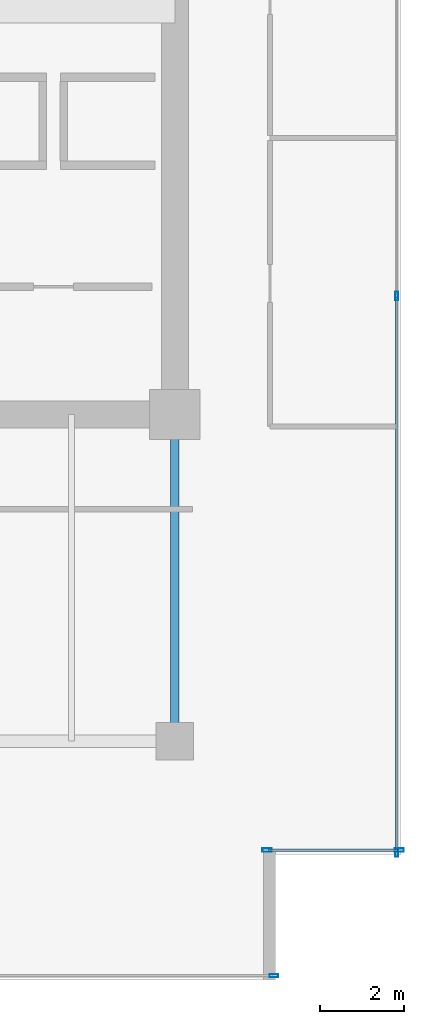
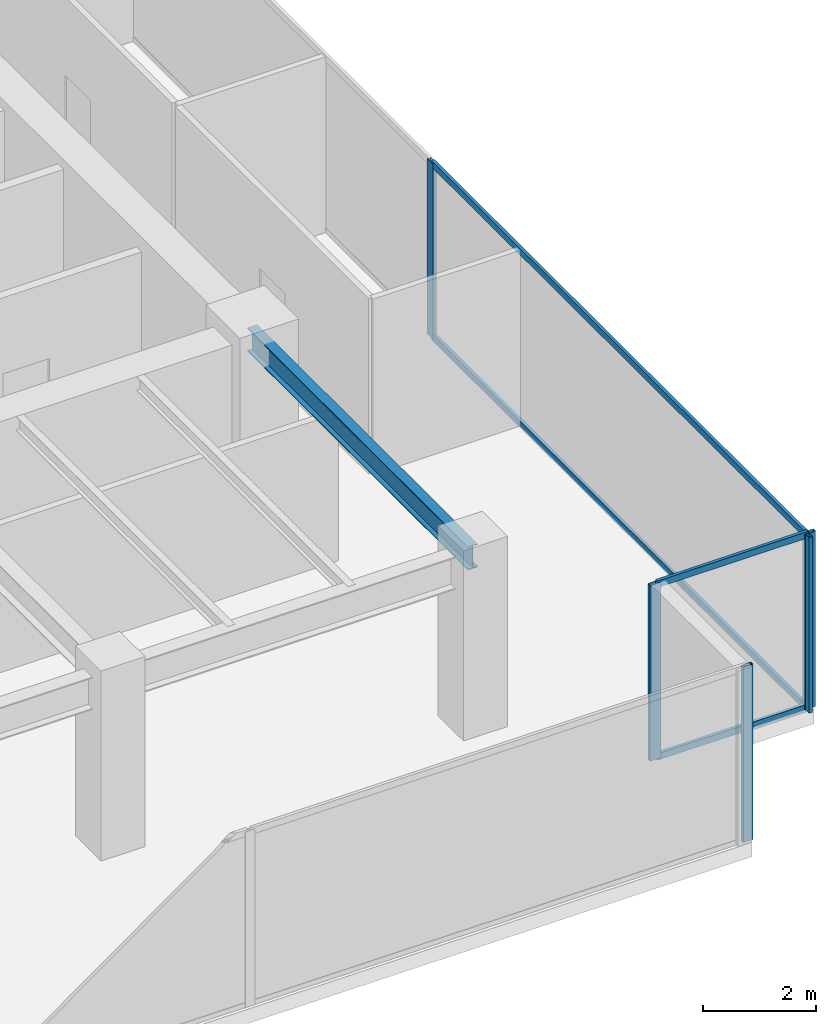
# One storey, part 21 of 31: 9 members, 1 beam, 3 elements without a shape of their own.
"""IFC4 building model written with IfcOpenShell, lengths in metres."""

from ifc_helpers import new_model, si_unit, direction, frame, origin, origin_2d, place, context, subcontext, project, spatial, hollow_rectangle, i_section, extrude, source, transform, mapped, material, layer, layer_set, material_profile, profile_set, type_object, type_shapes, element, aggregate, save


model = new_model("IFC4")

# Units and contexts
model_context = context("Model", 3, precision=1e-05, world=origin(), true_north=direction((0.0, 1.0)))
body_context = subcontext(model_context, "Body", "Model", "MODEL_VIEW")
ifc_project = project(units=[si_unit("LENGTHUNIT", "METRE"), si_unit("AREAUNIT", "SQUARE_METRE"), si_unit("VOLUMEUNIT", "CUBIC_METRE"), si_unit("PLANEANGLEUNIT", "RADIAN"), si_unit("MASSUNIT", "GRAM", prefix="KILO")], contexts=[model_context])

# Site, building, storey
site_placement = place(None, origin())
site = spatial("IfcSite", under=ifc_project, at=site_placement, CompositionType="ELEMENT")
building_placement = place(site_placement, origin())
building = spatial("IfcBuilding", under=site, at=building_placement, Name="Haelvirn Gate Laboratories", CompositionType="ELEMENT")
storey_placement = place(building_placement, frame((0.0, 0.0, 154.300048828125)))
storey = spatial("IfcBuildingStorey", under=building, at=storey_placement, Name="L37", CompositionType="ELEMENT", Elevation=154.300048828125)

# Beam
ifc_material_1 = material(Name="Steel SM355", Category="steel")
ifc_material_profile_1 = material_profile(ifc_material_1, i_section(OverallWidth=0.199951171875, OverallDepth=0.5, WebThickness=0.010009765625, FlangeThickness=0.01611328125, at=origin_2d()), Name="H-500x200x10x16")
ifc_profile_set_1 = profile_set([ifc_material_profile_1], Name="Steel SM355")
beam_type = type_object("IfcBeamType", Name="BM-SP-500", PredefinedType="SPANDREL", material=ifc_profile_set_1)
shared_shape_1 = source(origin(), body_context, "Body", "SweptSolid", [
    extrude(i_section(OverallWidth=0.199951171875, OverallDepth=0.5, WebThickness=0.010009765625, FlangeThickness=0.01611328125, at=origin_2d()), origin(), (0.0, 0.0, 1.0), 7.800048828125),
])
type_shapes(beam_type, [shared_shape_1])
beam_placement = place(storey_placement, frame((67.39990234375, 7.0, 3.5400390625), z_axis=(0.0, 1.0, 0.0), x_axis=(-1.0, 0.0, 0.0)))
element("IfcBeam", 1, at=beam_placement, inside=storey, type_object=beam_type, Name="L37 Perimeter Spandrel X67.4 (7.0-14.8)", PredefinedType="SPANDREL", context=body_context, shape_type="MappedRepresentation", body=[
    mapped(shared_shape_1, transform((0.0, 0.0, 0.0), scale=1.0)),
])

# Curtain wall, members
ifc_material_2 = material(Name="Anodised bronze unitised aluminium & triple low-E glass", Category="aluminium")
ifc_layer_1 = layer(ifc_material_2, 0.181884765625, Name="CW-SYS-5")
ifc_layer_set_1 = layer_set([ifc_layer_1], Name="Anodised bronze unitised aluminium & triple low-E glass")
curtain_wall_type_1 = type_object("IfcCurtainWallType", Name="CW-SYS-5", PredefinedType="NOTDEFINED", material=ifc_layer_set_1)
curtain_wall_1_placement = place(storey_placement, origin())
curtain_wall_1 = element("IfcCurtainWall", 2, at=curtain_wall_1_placement, inside=storey, type_object=curtain_wall_type_1, Name="L37 Unitised Curtain Wall CW-L37-P0-E06-1", PredefinedType="NOTDEFINED")
ifc_material_3 = material(Name="Extruded aluminium 6063-T6 (anodised bronze)", Category="aluminium")
ifc_material_profile_2 = material_profile(ifc_material_3, hollow_rectangle(XDim=0.06494140625, YDim=0.139892578125, WallThickness=0.00390625, at=origin_2d()), Name="CWT-140x65x4")
ifc_profile_set_2 = profile_set([ifc_material_profile_2], Name="Extruded aluminium 6063-T6 (anodised bronze)")
member_type_1 = type_object("IfcMemberType", Name="CWT-T140", PredefinedType="USERDEFINED", material=ifc_profile_set_2)
shared_shape_2 = source(origin(), body_context, "Body", "SweptSolid", [
    extrude(hollow_rectangle(XDim=0.06494140625, YDim=0.139892578125, WallThickness=0.00390625, at=origin_2d()), origin(), (0.0, 0.0, 1.0), 3.080078125),
])
member_1_placement = place(storey_placement, frame((69.639892578125, 4.39990234375, 0.032470703125), z_axis=(1.0, 0.0, 0.0), x_axis=(0.0, 1.0, 0.0)))
member_1 = element("IfcMember", 3, at=member_1_placement, type_object=member_type_1, Name="CW5 transom 1.1", ObjectType="TRANSOM", PredefinedType="USERDEFINED", context=body_context, shape_type="MappedRepresentation", body=[
    mapped(shared_shape_2, transform((0.0, 0.0, 0.0), scale=1.0)),
])
member_2_placement = place(storey_placement, frame((69.639892578125, 4.39990234375, 3.757568359375), z_axis=(1.0, 0.0, 0.0), x_axis=(0.0, 1.0, 0.0)))
member_2 = element("IfcMember", 4, at=member_2_placement, type_object=member_type_1, Name="CW5 transom 1.2", ObjectType="TRANSOM", PredefinedType="USERDEFINED", context=body_context, shape_type="MappedRepresentation", body=[
    mapped(shared_shape_2, transform((0.0, 0.0, 0.0), scale=1.0)),
])

ifc_layer_2 = layer(ifc_material_2, 0.179931640625, Name="CW-SYS-3")
ifc_layer_set_2 = layer_set([ifc_layer_2], Name="Anodised bronze unitised aluminium & triple low-E glass")
curtain_wall_type_2 = type_object("IfcCurtainWallType", Name="CW-SYS-3", PredefinedType="NOTDEFINED", material=ifc_layer_set_2)
curtain_wall_2_placement = place(storey_placement, origin())
curtain_wall_2 = element("IfcCurtainWall", 5, at=curtain_wall_2_placement, inside=storey, type_object=curtain_wall_type_2, Name="L37 Unitised Curtain Wall CW-L37-P0-E07", PredefinedType="NOTDEFINED")
shared_shape_3 = source(origin(), body_context, "Body", "SweptSolid", [
    extrude(hollow_rectangle(XDim=0.06494140625, YDim=0.139892578125, WallThickness=0.00390625, at=origin_2d()), origin(), (0.0, 0.0, 1.0), 13.220947265625),
])
type_shapes(member_type_1, [shared_shape_2, shared_shape_3])
member_3_placement = place(storey_placement, frame((72.699951171875, 4.375, 0.032470703125), z_axis=(0.0, 1.0, 0.0), x_axis=(-1.0, 0.0, 0.0)))
member_3 = element("IfcMember", 6, at=member_3_placement, type_object=member_type_1, Name="CW3 transom 1.1", ObjectType="TRANSOM", PredefinedType="USERDEFINED", context=body_context, shape_type="MappedRepresentation", body=[
    mapped(shared_shape_3, transform((0.0, 0.0, 0.0), scale=1.0)),
])
member_4_placement = place(storey_placement, frame((72.699951171875, 4.375, 3.757568359375), z_axis=(0.0, 1.0, 0.0), x_axis=(-1.0, 0.0, 0.0)))
member_4 = element("IfcMember", 7, at=member_4_placement, type_object=member_type_1, Name="CW3 transom 1.2", ObjectType="TRANSOM", PredefinedType="USERDEFINED", context=body_context, shape_type="MappedRepresentation", body=[
    mapped(shared_shape_3, transform((0.0, 0.0, 0.0), scale=1.0)),
])

# Curtain wall, member
curtain_wall_3_placement = place(storey_placement, origin())
curtain_wall_3 = element("IfcCurtainWall", 8, at=curtain_wall_3_placement, inside=storey, type_object=curtain_wall_type_2, Name="L37 Unitised Curtain Wall CW-L37-P0-E04-1", PredefinedType="NOTDEFINED")
ifc_material_profile_3 = material_profile(ifc_material_3, hollow_rectangle(XDim=0.074951171875, YDim=0.199951171875, WallThickness=0.0048828125, at=origin_2d()), Name="CWM-200x75x5")
ifc_profile_set_3 = profile_set([ifc_material_profile_3], Name="Extruded aluminium 6063-T6 (anodised bronze)")
member_type_2 = type_object("IfcMemberType", Name="CWM-T200", PredefinedType="MULLION", material=ifc_profile_set_3)
shared_shape_4 = source(origin(), body_context, "Body", "SweptSolid", [
    extrude(hollow_rectangle(XDim=0.074951171875, YDim=0.199951171875, WallThickness=0.0048828125, at=origin_2d()), origin(), (0.0, 0.0, 1.0), 3.7900390625),
])
type_shapes(member_type_2, [shared_shape_4])
member_5_placement = place(storey_placement, frame((69.762451171875, 1.39990234375, 0.0), z_axis=(0.0, 0.0, 1.0), x_axis=(0.0, 1.0, 0.0)))
member_5 = element("IfcMember", 9, at=member_5_placement, type_object=member_type_2, Name="CW3 mullion 3", PredefinedType="MULLION", context=body_context, shape_type="MappedRepresentation", body=[
    mapped(shared_shape_4, transform((0.0, 0.0, 0.0), scale=1.0)),
])
aggregate(curtain_wall_3, [member_5])

# Member
member_6_placement = place(storey_placement, frame((72.699951171875, 4.33740234375, 0.0), z_axis=(0.0, 0.0, 1.0), x_axis=(-1.0, 0.0, 0.0)))
member_6 = element("IfcMember", 10, at=member_6_placement, type_object=member_type_2, Name="CW3 mullion 1", PredefinedType="MULLION", context=body_context, shape_type="MappedRepresentation", body=[
    mapped(shared_shape_4, transform((0.0, 0.0, 0.0), scale=1.0)),
])

member_7_placement = place(storey_placement, frame((72.699951171875, 17.63330078125, 0.0), z_axis=(0.0, 0.0, 1.0), x_axis=(-1.0, 0.0, 0.0)))
member_7 = element("IfcMember", 11, at=member_7_placement, type_object=member_type_2, Name="CW3 mullion 2", PredefinedType="MULLION", context=body_context, shape_type="MappedRepresentation", body=[
    mapped(shared_shape_4, transform((0.0, 0.0, 0.0), scale=1.0)),
])

aggregate(curtain_wall_2, [member_6, member_7, member_3, member_4])

ifc_material_profile_4 = material_profile(ifc_material_3, hollow_rectangle(XDim=0.080078125, YDim=0.219970703125, WallThickness=0.006103515625, at=origin_2d()), Name="CWM-220x80x6")
ifc_profile_set_4 = profile_set([ifc_material_profile_4], Name="Extruded aluminium 6063-T6 (anodised bronze)")
member_type_3 = type_object("IfcMemberType", Name="CWM-T220", PredefinedType="MULLION", material=ifc_profile_set_4)
shared_shape_5 = source(origin(), body_context, "Body", "SweptSolid", [
    extrude(hollow_rectangle(XDim=0.080078125, YDim=0.219970703125, WallThickness=0.006103515625, at=origin_2d()), origin(), (0.0, 0.0, 1.0), 3.7900390625),
])
type_shapes(member_type_3, [shared_shape_5])
member_8_placement = place(storey_placement, frame((69.60009765625, 4.39990234375, 0.0), z_axis=(0.0, 0.0, 1.0), x_axis=(0.0, 1.0, 0.0)))
member_8 = element("IfcMember", 12, at=member_8_placement, type_object=member_type_3, Name="CW5 mullion 1", PredefinedType="MULLION", context=body_context, shape_type="MappedRepresentation", body=[
    mapped(shared_shape_5, transform((0.0, 0.0, 0.0), scale=1.0)),
])

member_9_placement = place(storey_placement, frame((72.760009765625, 4.39990234375, 0.0), z_axis=(0.0, 0.0, 1.0), x_axis=(0.0, 1.0, 0.0)))
member_9 = element("IfcMember", 13, at=member_9_placement, type_object=member_type_3, Name="CW5 mullion 2", PredefinedType="MULLION", context=body_context, shape_type="MappedRepresentation", body=[
    mapped(shared_shape_5, transform((0.0, 0.0, 0.0), scale=1.0)),
])

aggregate(curtain_wall_1, [member_8, member_9, member_1, member_2])

save(model, "model.ifc")
